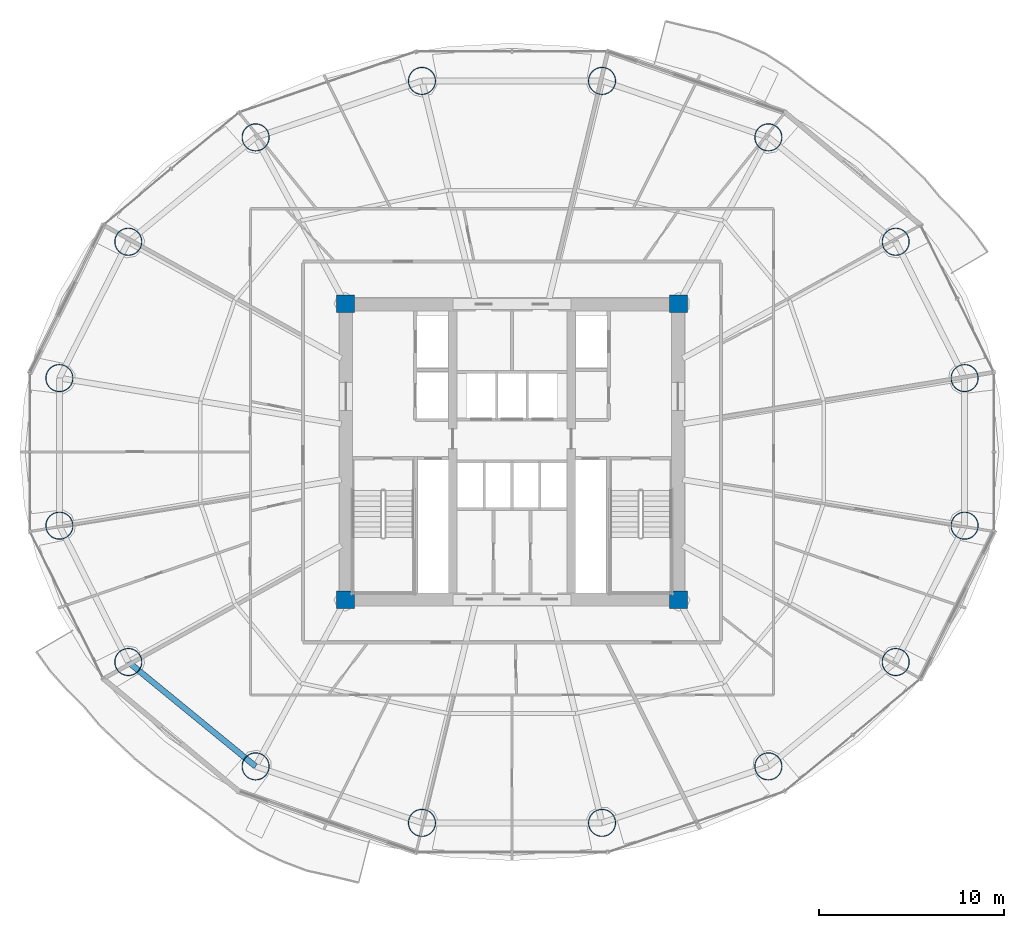
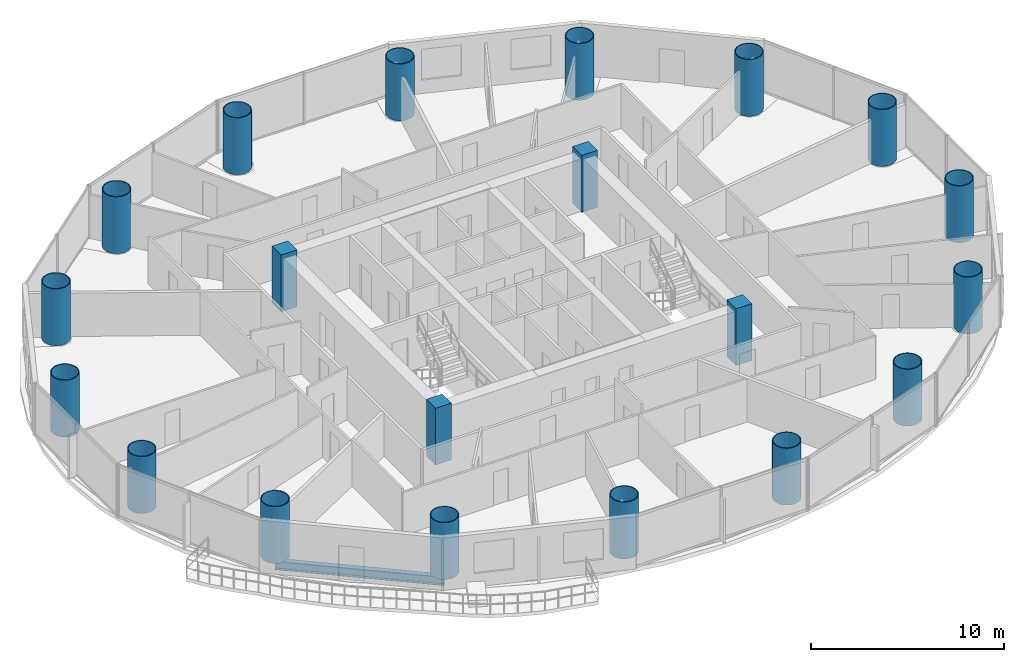
# One storey, part 1 of 28: 20 columns, 1 beam.
"""IFC4 building model written with IfcOpenShell, lengths in metres."""

import ifcopenshell
import ifcopenshell.guid

model = None  # the IFC model being written
_history = None  # IfcOwnerHistory: only IFC2X3 demands one
_inside = {}  # id of a spatial element -> (the spatial element, [elements in it])
_under = {}  # id of a project, library or spatial element -> (it, [spatial elements below it])
_declared = {}  # id of a project -> (the project, [libraries it declares])
_typed = {}  # id of a type object -> (the type object, [elements of that type])
_made_of = {}  # id of a material, layer set ... -> (it, [elements and type objects made of it])


def new_model(schema):
    """Start an empty IFC model of exactly this schema.

    Asked for "IFC4X3", IfcOpenShell would pick the latest addendum, in which some entities
    have other attributes; the version numbers below select the first issue.
    IFC2X3 requires an IfcOwnerHistory on every rooted entity: one is made here for all.
    """
    global model, _history
    if schema == "IFC4X3":
        model = ifcopenshell.file(schema_version=(4, 3, 0, 0))
    else:
        model = ifcopenshell.file(schema=schema)
    _inside.clear()
    _under.clear()
    _declared.clear()
    _typed.clear()
    _made_of.clear()
    _history = None
    if model.schema == "IFC2X3":
        org = make("IfcOrganization", Name="unknown")
        user = make(
            "IfcPersonAndOrganization",
            ThePerson=make("IfcPerson", FamilyName="unknown"),
            TheOrganization=org,
        )
        app = make(
            "IfcApplication",
            ApplicationDeveloper=org,
            Version="unknown",
            ApplicationFullName="unknown",
            ApplicationIdentifier="unknown",
        )
        _history = make(
            "IfcOwnerHistory",
            OwningUser=user,
            OwningApplication=app,
            ChangeAction="ADDED",
            CreationDate=0,
        )
    return model


def make(cls, **values):
    """One entity of the class cls with the attributes given. An attribute that is None is left unset."""
    return model.create_entity(
        cls, **{name: value for name, value in values.items() if value is not None}
    )


def rooted(cls, **values):
    """An entity with a GlobalId (a new one), such as an element, a storey or a relation."""
    return make(cls, GlobalId=ifcopenshell.guid.new(), OwnerHistory=_history, **values)


def si_unit(unit_type, name, prefix=None):
    """IfcSIUnit, for example si_unit("LENGTHUNIT", "METRE", prefix="MILLI")."""
    return make("IfcSIUnit", UnitType=unit_type, Prefix=prefix, Name=name)


def assignment(units):
    """IfcUnitAssignment: the units of a project."""
    return None if units is None else make("IfcUnitAssignment", Units=units)


def point(xyz):
    """IfcCartesianPoint."""
    return None if xyz is None else make("IfcCartesianPoint", Coordinates=xyz)


def direction(xyz):
    """IfcDirection."""
    return None if xyz is None else make("IfcDirection", DirectionRatios=xyz)


def frame(location, z_axis=None, x_axis=None):
    """IfcAxis2Placement3D, a coordinate frame: its origin and axes. An axis left out is left unset."""
    return make(
        "IfcAxis2Placement3D",
        Location=point(location),
        Axis=direction(z_axis),
        RefDirection=direction(x_axis),
    )


def frame_2d(location, x_axis=None):
    """IfcAxis2Placement2D, a coordinate frame in the plane: its origin and x axis."""
    return make(
        "IfcAxis2Placement2D", Location=point(location), RefDirection=direction(x_axis)
    )


def origin():
    """The frame at (0, 0, 0) with its axes left unset."""
    return frame((0.0, 0.0, 0.0))


def origin_2d():
    """The frame at (0, 0) in the plane with its x axis left unset."""
    return frame_2d((0.0, 0.0))


def place(relative_to, where):
    """IfcLocalPlacement: puts the frame where relative to a parent placement (None: the world)."""
    return make(
        "IfcLocalPlacement", PlacementRelTo=relative_to, RelativePlacement=where
    )


def context(
    kind, dimensions, precision=None, world=None, true_north=None, identifier=None
):
    """IfcGeometricRepresentationContext, for example the 3D "Model" context."""
    return make(
        "IfcGeometricRepresentationContext",
        ContextIdentifier=identifier,
        ContextType=kind,
        CoordinateSpaceDimension=dimensions,
        Precision=precision,
        WorldCoordinateSystem=world,
        TrueNorth=true_north,
    )


def subcontext(parent, identifier, kind, view, scale=None):
    """IfcGeometricRepresentationSubContext, for example "Body" below "Model"."""
    return make(
        "IfcGeometricRepresentationSubContext",
        ContextIdentifier=identifier,
        ContextType=kind,
        ParentContext=parent,
        TargetScale=scale,
        TargetView=view,
    )


def project(units=None, contexts=None):
    """IfcProject with its units and contexts."""
    return rooted(
        "IfcProject",
        Name="project",
        RepresentationContexts=contexts,
        UnitsInContext=assignment(units),
    )


def spatial(cls, under=None, at=None, **own):
    """A site, building, storey or space (cls), placed at a placement, below another one or the project."""
    s = rooted(cls, ObjectPlacement=at, **own)
    if under is not None:
        _under.setdefault(under.id(), (under, []))[1].append(s)
    return s


def profile(cls, at=None, kind="AREA", **sizes):
    """A parametric profile (cls). Its sizes go by their IFC names, for example OverallWidth=200.0."""
    return make(cls, ProfileType=kind, Position=at, **sizes)


def rectangle(**sizes):
    """IfcRectangleProfileDef."""
    return profile("IfcRectangleProfileDef", **sizes)


def hollow_circle(**sizes):
    """IfcCircleHollowProfileDef."""
    return profile("IfcCircleHollowProfileDef", **sizes)


def i_section(**sizes):
    """IfcIShapeProfileDef."""
    return profile("IfcIShapeProfileDef", **sizes)


def extrude(swept, where, along, depth):
    """IfcExtrudedAreaSolid: the profile swept, set in the frame where, extruded along a direction by depth."""
    return make(
        "IfcExtrudedAreaSolid",
        SweptArea=swept,
        Position=where,
        ExtrudedDirection=direction(along),
        Depth=depth,
    )


def shape(context_of_items, identifier, shape_type, items):
    """IfcShapeRepresentation: the items that make up one representation, for example the "Body"."""
    return make(
        "IfcShapeRepresentation",
        ContextOfItems=context_of_items,
        RepresentationIdentifier=identifier,
        RepresentationType=shape_type,
        Items=items,
    )


def material(Name=None, Category=None):
    """IfcMaterial."""
    return make("IfcMaterial", Name=Name, Category=Category)


def material_profile(
    of_material, cross_section, Name=None, Category=None, Priority=None
):
    """IfcMaterialProfile: a cross section and its material."""
    return make(
        "IfcMaterialProfile",
        Name=Name,
        Material=of_material,
        Profile=cross_section,
        Priority=Priority,
        Category=Category,
    )


def profile_set(profiles, Name=None, composite=None):
    """IfcMaterialProfileSet."""
    return make(
        "IfcMaterialProfileSet",
        Name=Name,
        MaterialProfiles=profiles,
        CompositeProfile=composite,
    )


def made_of(thing, what):
    """Note that an element or type object is made of a material, layer set ...; save() writes the relation."""
    if what is not None:
        _made_of.setdefault(what.id(), (what, []))[1].append(thing)
    return thing


def type_object(cls, material=None, **own):
    """A type object (cls), such as IfcWallType, which elements share."""
    return made_of(rooted(cls, **own), material)


def element(
    cls,
    number,
    at=None,
    inside=None,
    cuts=None,
    type_object=None,
    material=None,
    context=None,
    identifier="Body",
    shape_type=None,
    held_by="IfcProductDefinitionShape",
    body=None,
    shapes=None,
    **own,
):
    """One element of the class cls, such as IfcWall. Its Tag is "e" and its number.

    at: its placement. inside: the storey or other place that contains it. cuts: it is an
    opening in that element (IfcRelVoidsElement). A single representation is given by context,
    identifier, shape_type and body (its items); several are given by shapes. held_by: the class
    of the entity that holds the representations. save() writes the other relations.
    """
    e = rooted(cls, Tag="e%d" % number, ObjectPlacement=at, **own)
    if body is not None:
        shapes = [shape(context, identifier, shape_type, body)]
    if shapes is not None:
        e.Representation = make(held_by, Representations=shapes)
    if inside is not None:
        _inside.setdefault(inside.id(), (inside, []))[1].append(e)
    if cuts is not None:
        rooted(
            "IfcRelVoidsElement", RelatingBuildingElement=cuts, RelatedOpeningElement=e
        )
    if type_object is not None:
        _typed.setdefault(type_object.id(), (type_object, []))[1].append(e)
    return made_of(e, material)


def aggregate(whole, parts):
    """IfcRelAggregates: a whole, such as a stair, and the parts it consists of."""
    return rooted("IfcRelAggregates", RelatingObject=whole, RelatedObjects=parts)


def save(model, path):
    """Write the relations noted so far, then the file.

    IfcRelAggregates (storeys below a building ...), IfcRelContainedInSpatialStructure (elements
    in a storey), IfcRelDefinesByType, IfcRelAssociatesMaterial and IfcRelDeclares: one each for
    every whole, place, type object, material and project.
    """
    for whole, parts in _under.values():
        aggregate(whole, parts)
    for where, things in _inside.values():
        rooted(
            "IfcRelContainedInSpatialStructure",
            RelatedElements=things,
            RelatingStructure=where,
        )
    for kind, things in _typed.values():
        rooted("IfcRelDefinesByType", RelatedObjects=things, RelatingType=kind)
    for what, things in _made_of.values():
        rooted("IfcRelAssociatesMaterial", RelatedObjects=things, RelatingMaterial=what)
    for by, libraries in _declared.values():
        rooted("IfcRelDeclares", RelatingContext=by, RelatedDefinitions=libraries)
    model.write(path)


model = new_model("IFC4")

# Units and contexts
model_context = context("Model", 3, precision=1e-05, world=origin(), true_north=direction((-0.2419218956, 0.970295726276)))
body_context = subcontext(model_context, "Body", "Model", "MODEL_VIEW")
ifc_project = project(units=[si_unit("LENGTHUNIT", "METRE"), si_unit("AREAUNIT", "SQUARE_METRE"), si_unit("VOLUMEUNIT", "CUBIC_METRE"), si_unit("PLANEANGLEUNIT", "RADIAN"), si_unit("MASSUNIT", "GRAM", prefix="KILO")], contexts=[model_context])

# Site, building, storey
site_placement = place(None, origin())
site = spatial("IfcSite", under=ifc_project, at=site_placement, CompositionType="ELEMENT")
building_placement = place(site_placement, origin())
building = spatial("IfcBuilding", under=site, at=building_placement, Name="Cobrevalo Terracotta Tower", CompositionType="ELEMENT")
storey_placement = place(building_placement, frame((0.0, 0.0, 105.0)))
storey = spatial("IfcBuildingStorey", under=building, at=storey_placement, Name="L27", CompositionType="ELEMENT", Elevation=105.0)

# Columns
ifc_material_1 = material(Name="Steel S355", Category="steel")
ifc_material_profile_1 = material_profile(ifc_material_1, hollow_circle(Radius=0.75, WallThickness=0.044921875, at=origin_2d()), Name="CHS 1500x45")
ifc_profile_set_1 = profile_set([ifc_material_profile_1], Name="Steel S355")
column_type_1 = type_object("IfcColumnType", Name="Structural Column CHS 1500x45 (Steel S355)", PredefinedType="COLUMN", material=ifc_profile_set_1)
for number, where, z_axis, x_axis, name in (
    (1, (62.470703125, 30.78955078125, 0.0), (0.0, 0.0, 1.0), (1.0, 0.0, 0.0), "L27 composite megacolumn MC01"),
    (2, (58.7451171875, 38.161376953125, 0.0), (0.0, 0.0, 1.0), (1.0, 0.0, 0.0), "L27 composite megacolumn MC02"),
    (3, (51.861572265625, 43.803466796875, 0.0), (0.0, 0.0, 1.0), (1.0, 0.0, 0.0), "L27 composite megacolumn MC03"),
    (4, (42.867431640625, 46.857177734375, 0.0), (0.0, 0.0, 1.0), (1.0, 0.0, 0.0), "L27 composite megacolumn MC04"),
    (5, (33.132568359375, 46.857177734375, 0.0), (0.0, 0.0, 1.0), (1.0, 0.0, 0.0), "L27 composite megacolumn MC05"),
    (6, (24.138427734375, 43.803466796875, 0.0), (0.0, 0.0, 1.0), (1.0, 0.0, 0.0), "L27 composite megacolumn MC06"),
    (7, (17.2548828125, 38.161376953125, 0.0), (0.0, 0.0, 1.0), (1.0, 0.0, 0.0), "L27 composite megacolumn MC07"),
    (8, (13.529296875, 30.78955078125, 0.0), (0.0, 0.0, 1.0), (1.0, 0.0, 0.0), "L27 composite megacolumn MC08"),
    (9, (13.529296875, 22.810302734375, 0.0), (0.0, 0.0, 1.0), (1.0, 0.0, 0.0), "L27 composite megacolumn MC09"),
    (10, (17.2548828125, 15.4384765625, 0.0), (0.0, 0.0, 1.0), (1.0, 0.0, 0.0), "L27 composite megacolumn MC10"),
    (11, (24.138427734375, 9.79638671875, 0.0), (0.0, 0.0, 1.0), (1.0, 0.0, 0.0), "L27 composite megacolumn MC11"),
    (12, (33.132568359375, 6.742919921875, 0.0), (0.0, 0.0, 1.0), (1.0, 0.0, 0.0), "L27 composite megacolumn MC12"),
    (13, (42.867431640625, 6.742919921875, 0.0), (0.0, 0.0, 1.0), (1.0, 0.0, 0.0), "L27 composite megacolumn MC13"),
    (14, (51.861572265625, 9.79638671875, 0.0), (0.0, 0.0, 1.0), (1.0, 0.0, 0.0), "L27 composite megacolumn MC14"),
    (15, (58.7451171875, 15.4384765625, 0.0), (0.0, 0.0, 1.0), (1.0, 0.0, 0.0), "L27 composite megacolumn MC15"),
    (16, (62.470703125, 22.810302734375, 0.0), (0.0, 0.0, 1.0), (1.0, 0.0, 0.0), "L27 composite megacolumn MC16"),
):
    element("IfcColumn", number, at=place(storey_placement, frame(where, z_axis=z_axis, x_axis=x_axis)), inside=storey, type_object=column_type_1, Name=name, PredefinedType="COLUMN", context=body_context, shape_type="SweptSolid", body=[
        extrude(hollow_circle(Radius=0.75, WallThickness=0.044921875, at=origin_2d()), origin(), (0.0, 0.0, 1.0), 3.60009765625),
    ])
ifc_material_2 = material(Name="Concrete C55", Category="concrete")
ifc_material_profile_2 = material_profile(ifc_material_2, rectangle(XDim=0.949951171875, YDim=0.949951171875, at=origin_2d()), Name="RC COL 950x950")
ifc_profile_set_2 = profile_set([ifc_material_profile_2], Name="Concrete C55")
column_type_2 = type_object("IfcColumnType", Name="Structural Column RC COL 950x950 (Concrete C55)", PredefinedType="COLUMN", material=ifc_profile_set_2)
for number, where, z_axis, x_axis, name in (
    (17, (29.0, 18.800048828125, 0.0), (0.0, 0.0, 1.0), (1.0, 0.0, 0.0), "L27 core corner column CC1"),
    (18, (47.0, 18.800048828125, 0.0), (0.0, 0.0, 1.0), (1.0, 0.0, 0.0), "L27 core corner column CC2"),
    (19, (47.0, 34.800048828125, 0.0), (0.0, 0.0, 1.0), (1.0, 0.0, 0.0), "L27 core corner column CC3"),
    (20, (29.0, 34.800048828125, 0.0), (0.0, 0.0, 1.0), (1.0, 0.0, 0.0), "L27 core corner column CC4"),
):
    element("IfcColumn", number, at=place(storey_placement, frame(where, z_axis=z_axis, x_axis=x_axis)), inside=storey, type_object=column_type_2, Name=name, PredefinedType="COLUMN", context=body_context, shape_type="SweptSolid", body=[
        extrude(rectangle(XDim=0.949951171875, YDim=0.949951171875, at=origin_2d()), origin(), (0.0, 0.0, 1.0), 3.60009765625),
    ])

# Beam
ifc_material_profile_3 = material_profile(ifc_material_1, i_section(OverallWidth=0.31201171875, OverallDepth=0.54296875, WebThickness=0.0126953125, FlangeThickness=0.020263671875, at=origin_2d()), Name="W 530x150")
ifc_profile_set_3 = profile_set([ifc_material_profile_3], Name="Steel S355")
beam_type = type_object("IfcBeamType", Name="Structural Spandrel W 530x150 (Steel S355)", PredefinedType="SPANDREL", material=ifc_profile_set_3)
beam_placement = place(storey_placement, frame((17.2548828125, 15.4384765625, -0.54638671875), z_axis=(0.773400923541, -0.633917196064, 0.0), x_axis=(0.633917196064, 0.773400923541, 0.0)))
element("IfcBeam", 21, at=beam_placement, inside=storey, type_object=beam_type, Name="L27 perimeter ring spandrel 10", PredefinedType="SPANDREL", context=body_context, shape_type="SweptSolid", body=[
    extrude(i_section(OverallWidth=0.31201171875, OverallDepth=0.54296875, WebThickness=0.0126953125, FlangeThickness=0.020263671875, at=origin_2d()), origin(), (0.0, 0.0, 1.0), 8.900390625),
])

save(model, "model.ifc")
